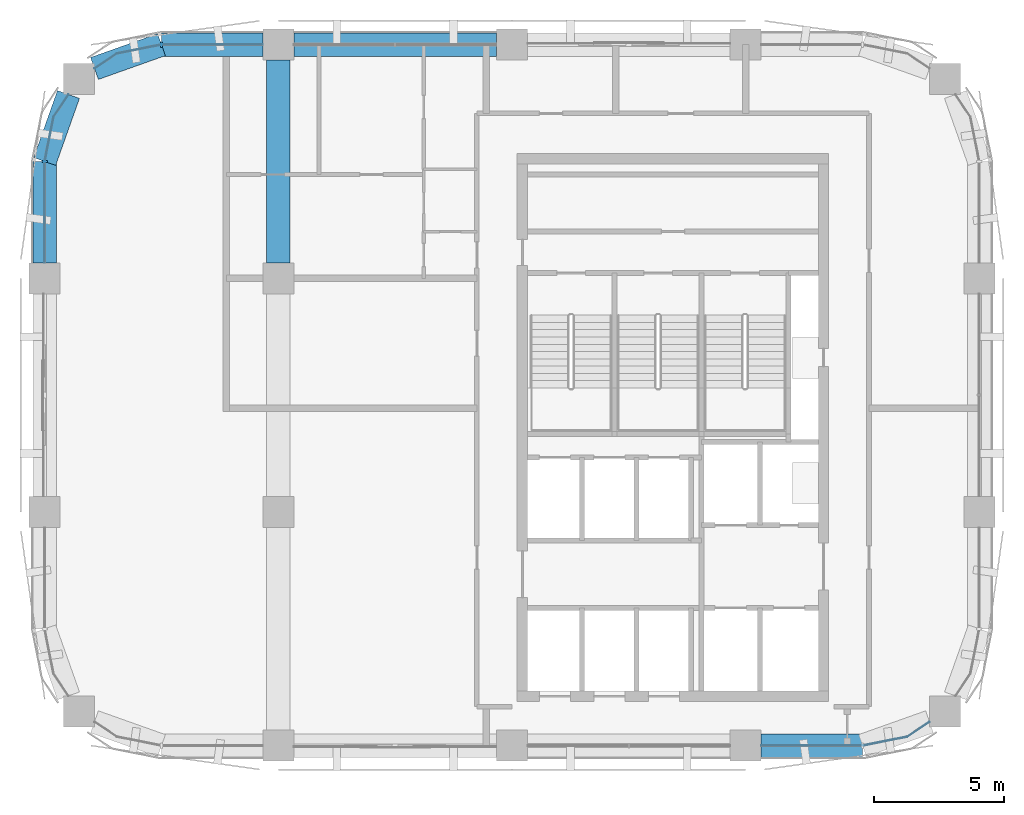
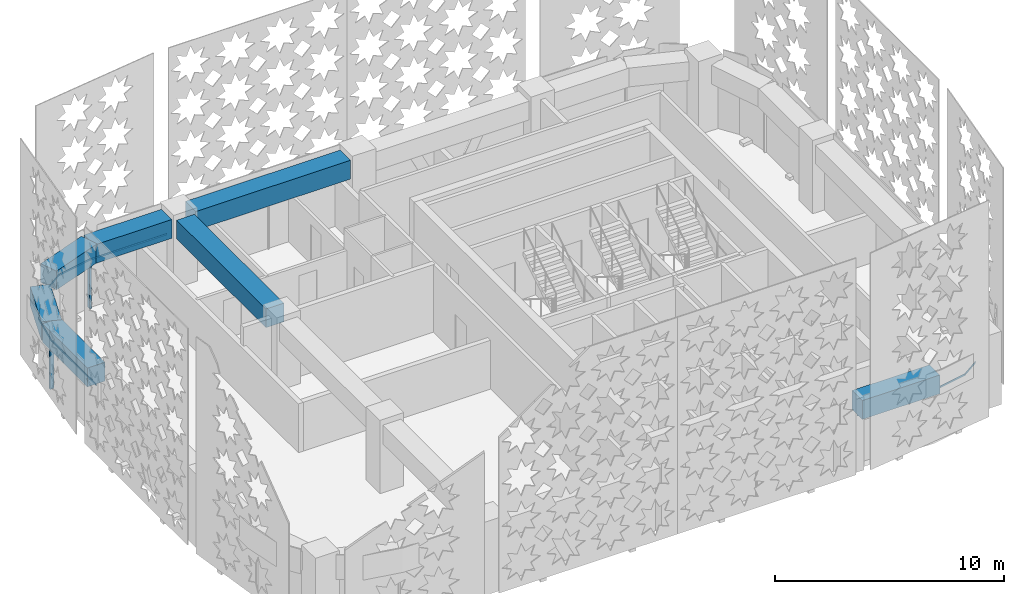
# One storey, part 3 of 15: 7 beams, 5 members, 3 elements without a shape of their own.
"""IFC4 building model written with IfcOpenShell, lengths in metres."""

from ifc_helpers import new_model, si_unit, direction, frame, origin, origin_2d, place, context, subcontext, project, spatial, polyline, rectangle, outline, extrude, material, material_profile, profile_set, type_object, element, aggregate, save


model = new_model("IFC4")

# Units and contexts
model_context = context("Model", 3, precision=1e-05, world=origin(), true_north=direction((0.0, 1.0)))
body_context = subcontext(model_context, "Body", "Model", "MODEL_VIEW")
ifc_project = project(units=[si_unit("LENGTHUNIT", "METRE"), si_unit("AREAUNIT", "SQUARE_METRE"), si_unit("VOLUMEUNIT", "CUBIC_METRE"), si_unit("PLANEANGLEUNIT", "RADIAN"), si_unit("MASSUNIT", "GRAM", prefix="KILO")], contexts=[model_context])

# Site, building, storey
site_placement = place(None, origin())
site = spatial("IfcSite", under=ifc_project, at=site_placement, CompositionType="ELEMENT")
building_placement = place(site_placement, origin())
building = spatial("IfcBuilding", under=site, at=building_placement, Name="Tessera Arch", CompositionType="ELEMENT")
storey_placement = place(building_placement, frame((0.0, 0.0, 257.89990234375)))
storey = spatial("IfcBuildingStorey", under=building, at=storey_placement, Name="L62", CompositionType="ELEMENT", Elevation=257.89990234375)

# Curtain wall, member
ifc_material_1 = material(Name="CW2 curtain wall")
curtain_wall_type = type_object("IfcCurtainWallType", Name="CW2 curtain wall", PredefinedType="NOTDEFINED", material=ifc_material_1)
curtain_wall_1_placement = place(storey_placement, origin())
curtain_wall_1 = element("IfcCurtainWall", 1, at=curtain_wall_1_placement, inside=storey, type_object=curtain_wall_type, Name="CW2 curtain wall N54.18/3 L62", PredefinedType="NOTDEFINED")
ifc_material_2 = material(Name="Anodised aluminium pale metal", Category="aluminium")
ifc_material_profile_1 = material_profile(ifc_material_2, rectangle(XDim=0.199951171875, YDim=0.080078125, at=origin_2d()), Name="AL 80x200")
ifc_profile_set_1 = profile_set([ifc_material_profile_1], Name="Anodised aluminium pale metal")
member_type_1 = type_object("IfcMemberType", Name="CW2 mullion", PredefinedType="MULLION", material=ifc_profile_set_1)
member_1_placement = place(storey_placement, frame((22.5, 54.0, 0.0), z_axis=(0.0, 0.0, 1.0), x_axis=(0.0, -1.0, 0.0)))
member_1 = element("IfcMember", 2, at=member_1_placement, type_object=member_type_1, Name="CW2 mullion N54.18/3 1", PredefinedType="MULLION", context=body_context, shape_type="SweptSolid", body=[
    extrude(rectangle(XDim=0.199951171875, YDim=0.080078125, at=origin_2d()), origin(), (0.0, 0.0, 1.0), 2.5),
])

curtain_wall_2_placement = place(storey_placement, origin())
curtain_wall_2 = element("IfcCurtainWall", 3, at=curtain_wall_2_placement, inside=storey, type_object=curtain_wall_type, Name="CW2 curtain wall W18.27/0 L62", PredefinedType="NOTDEFINED")
member_2_placement = place(storey_placement, frame((18.0, 49.5, 0.0), z_axis=(0.0, 0.0, 1.0), x_axis=(1.0, 0.0, 0.0)))
member_2 = element("IfcMember", 4, at=member_2_placement, type_object=member_type_1, Name="CW2 mullion W18.27/0 1", PredefinedType="MULLION", context=body_context, shape_type="SweptSolid", body=[
    extrude(rectangle(XDim=0.199951171875, YDim=0.080078125, at=origin_2d()), origin(), (0.0, 0.0, 1.0), 2.5),
])

# Member
ifc_material_3 = material(Name="Anodised aluminium pale metal", Category="aluminium")
ifc_material_profile_2 = material_profile(ifc_material_3, rectangle(XDim=0.199951171875, YDim=0.10009765625, at=origin_2d()), Name="AL 200x100")
ifc_profile_set_2 = profile_set([ifc_material_profile_2], Name="Anodised aluminium pale metal")
member_type_2 = type_object("IfcMemberType", Name="CW2 transom", PredefinedType="USERDEFINED", material=ifc_profile_set_2)
member_3_placement = place(storey_placement, frame((0.0, 0.0, 2.5)))
member_3 = element("IfcMember", 5, at=member_3_placement, type_object=member_type_2, Name="CW2 transom N54.18/3 1", ObjectType="TRANSOM", PredefinedType="USERDEFINED", context=body_context, shape_type="SweptSolid", body=[
    extrude(outline(polyline([(22.5009765625, 53.989990234375), (26.39990234375, 53.989990234375), (26.39990234375, 54.010009765625), (22.4990234375, 54.010009765625), (20.77392578125, 53.6669921875), (19.912353515625, 53.09130859375), (19.923583984375, 53.07470703125), (20.78173828125, 53.648193359375), (22.5009765625, 53.989990234375)])), origin(), (0.0, 0.0, 1.0), 0.10009765625),
])

aggregate(curtain_wall_1, [member_1, member_3])

member_4_placement = place(storey_placement, frame((0.0, 0.0, 2.5)))
member_4 = element("IfcMember", 6, at=member_4_placement, type_object=member_type_2, Name="CW2 transom W18.27/0 1", ObjectType="TRANSOM", PredefinedType="USERDEFINED", context=body_context, shape_type="SweptSolid", body=[
    extrude(outline(polyline([(18.351806640625, 51.21826171875), (18.92529296875, 52.076416015625), (18.90869140625, 52.087646484375), (18.3330078125, 51.22607421875), (17.989990234375, 49.5009765625), (17.989990234375, 45.60009765625), (18.010009765625, 45.60009765625), (18.010009765625, 49.4990234375), (18.351806640625, 51.21826171875)])), origin(), (0.0, 0.0, 1.0), 0.10009765625),
])

aggregate(curtain_wall_2, [member_2, member_4])

# Curtain wall, member
curtain_wall_3_placement = place(storey_placement, origin())
curtain_wall_3 = element("IfcCurtainWall", 7, at=curtain_wall_3_placement, inside=storey, type_object=curtain_wall_type, Name="CW2 curtain wall S27.18/3 L62", PredefinedType="NOTDEFINED")
member_5_placement = place(storey_placement, frame((0.0, 0.0, 2.5)))
member_5 = element("IfcMember", 8, at=member_5_placement, type_object=member_type_2, Name="CW2 transom S27.18/3 1", ObjectType="TRANSOM", PredefinedType="USERDEFINED", context=body_context, shape_type="SweptSolid", body=[
    extrude(outline(polyline([(49.4990234375, 27.010009765625), (45.60009765625, 27.010009765625), (45.60009765625, 26.989990234375), (49.5009765625, 26.989990234375), (51.22607421875, 27.3330078125), (52.087646484375, 27.90869140625), (52.076416015625, 27.92529296875), (51.21826171875, 27.351806640625), (49.4990234375, 27.010009765625)])), origin(), (0.0, 0.0, 1.0), 0.10009765625),
])
aggregate(curtain_wall_3, [member_5])

# Beams
ifc_material_4 = material(Name="Concrete C60/75", Category="concrete")
ifc_material_profile_3 = material_profile(ifc_material_4, rectangle(XDim=0.89990234375, YDim=1.0, at=origin_2d()), Name="RC spandrel beam 900 x 1000 Concrete C60/75")
ifc_profile_set_3 = profile_set([ifc_material_profile_3], Name="Concrete C60/75")
beam_type = type_object("IfcBeamType", Name="RC spandrel beam 900 x 1000 Concrete C60/75", PredefinedType="BEAM", material=ifc_profile_set_3)
beam_1_placement = place(storey_placement, frame((35.39990234375, 54.0, 3.10009765625), z_axis=(-1.0, 0.0, 0.0), x_axis=(0.0, -1.0, 0.0)))
element("IfcBeam", 9, at=beam_1_placement, inside=storey, type_object=beam_type, Name="Spandrel beam L62 N54.18/2", PredefinedType="BEAM", context=body_context, shape_type="SweptSolid", body=[
    extrude(rectangle(XDim=0.89990234375, YDim=1.0, at=origin_2d()), origin(), (0.0, 0.0, 1.0), 7.7998046875),
])
beam_2_placement = place(storey_placement, frame((26.39990234375, 54.0, 3.10009765625), z_axis=(-1.0, 0.0, 0.0), x_axis=(0.0, -1.0, 0.0)))
element("IfcBeam", 10, at=beam_2_placement, inside=storey, type_object=beam_type, Name="Spandrel beam L62 N54.18/3.1", PredefinedType="BEAM", context=body_context, shape_type="SweptSolid", body=[
    extrude(rectangle(XDim=0.89990234375, YDim=1.0, at=origin_2d()), origin(), (0.0, 0.0, 1.0), 3.89990234375),
])
for number, where, z_axis, x_axis, name in (
    (11, (22.5, 54.0, 3.10009765625), (-0.942337127159, -0.334665114373, 0.0), (0.334665114373, -0.942337127159, 0.0), "Spandrel beam L62 N54.18/3.2"),
    (12, (18.9169921875, 52.08203125, 3.10009765625), (-0.334665114373, -0.942337127159, 0.0), (0.942337127159, -0.334665114373, 0.0), "Spandrel beam L62 W18.27/0.1"),
):
    element("IfcBeam", number, at=place(storey_placement, frame(where, z_axis=z_axis, x_axis=x_axis)), inside=storey, type_object=beam_type, Name=name, PredefinedType="BEAM", context=body_context, shape_type="SweptSolid", body=[
        extrude(rectangle(XDim=0.89990234375, YDim=1.0, at=origin_2d()), origin(), (0.0, 0.0, 1.0), 2.739990234375),
    ])
for number, where, z_axis, x_axis, name in (
    (13, (18.0, 49.5, 3.10009765625), (0.0, -1.0, 0.0), (1.0, 0.0, 0.0), "Spandrel beam L62 W18.27/0.2"),
    (14, (45.60009765625, 27.0, 3.10009765625), (1.0, 0.0, 0.0), (0.0, 1.0, 0.0), "Spandrel beam L62 S27.18/3.1"),
):
    element("IfcBeam", number, at=place(storey_placement, frame(where, z_axis=z_axis, x_axis=x_axis)), inside=storey, type_object=beam_type, Name=name, PredefinedType="BEAM", context=body_context, shape_type="SweptSolid", body=[
        extrude(rectangle(XDim=0.89990234375, YDim=1.0, at=origin_2d()), origin(), (0.0, 0.0, 1.0), 3.89990234375),
    ])
beam_3_placement = place(storey_placement, frame((27.0, 45.60009765625, 3.10009765625), z_axis=(0.0, 1.0, 0.0), x_axis=(-1.0, 0.0, 0.0)))
element("IfcBeam", 15, at=beam_3_placement, inside=storey, type_object=beam_type, Name="Interface beam L62 I0C4F-C4G", PredefinedType="BEAM", context=body_context, shape_type="SweptSolid", body=[
    extrude(rectangle(XDim=0.89990234375, YDim=1.0, at=origin_2d()), origin(), (0.0, 0.0, 1.0), 7.7998046875),
])

save(model, "model.ifc")
